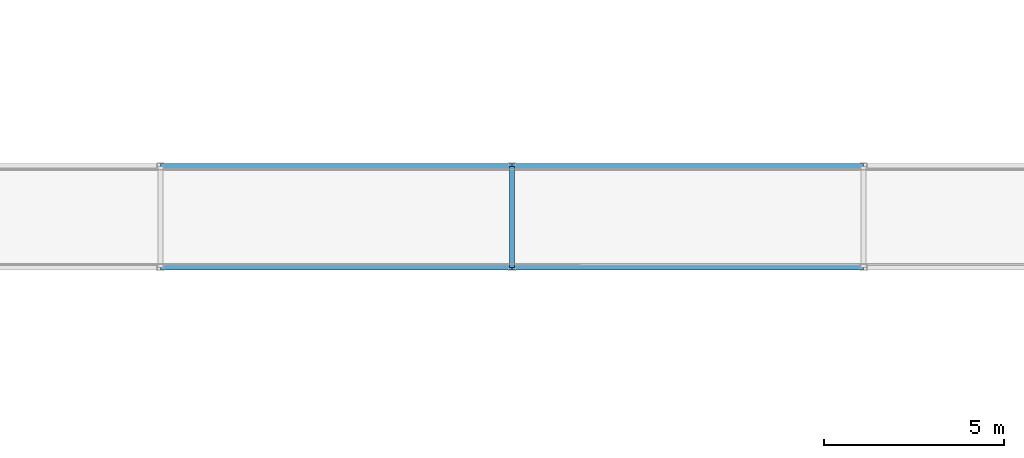
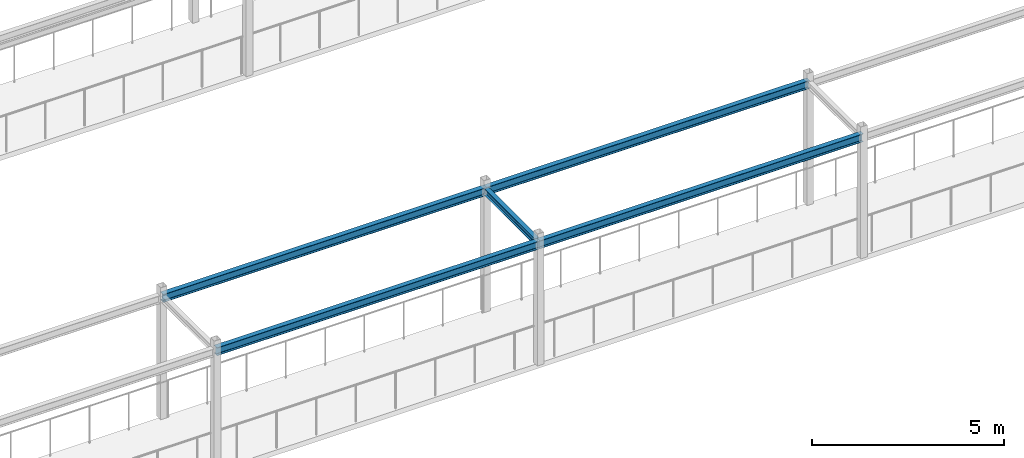
# One storey, part 60 of 148: 5 beams.
"""IFC4 building model written with IfcOpenShell, lengths in metres."""

from ifc_helpers import new_model, si_unit, direction, frame, origin, origin_2d, place, context, subcontext, project, spatial, i_section, extrude, material, material_profile, profile_set, type_object, element, save


model = new_model("IFC4")

# Units and contexts
model_context = context("Model", 3, precision=1e-05, world=origin(), true_north=direction((0.0, 1.0)))
body_context = subcontext(model_context, "Body", "Model", "MODEL_VIEW")
ifc_project = project(units=[si_unit("LENGTHUNIT", "METRE"), si_unit("AREAUNIT", "SQUARE_METRE"), si_unit("VOLUMEUNIT", "CUBIC_METRE"), si_unit("PLANEANGLEUNIT", "RADIAN"), si_unit("MASSUNIT", "GRAM", prefix="KILO")], contexts=[model_context])

# Site, building, storey
site_placement = place(None, origin())
site = spatial("IfcSite", under=ifc_project, at=site_placement, CompositionType="ELEMENT")
building_placement = place(site_placement, origin())
building = spatial("IfcBuilding", under=site, at=building_placement, Name="Karori Crest Natural Sciences Institute", CompositionType="ELEMENT")
storey_placement = place(building_placement, frame((0.0, 0.0, 4.89990234375)))
storey = spatial("IfcBuildingStorey", under=building, at=storey_placement, Name="L01", CompositionType="ELEMENT", Elevation=4.89990234375)

# Beams
ifc_material = material(Name="Structural steel AS/NZS 3679.1 Grade 350", Category="steel")
ifc_material_profile_1 = material_profile(ifc_material, i_section(OverallWidth=0.14599609375, OverallDepth=0.256103515625, WebThickness=0.00634765625, FlangeThickness=0.010986328125, FilletRadius=0.009033203125, at=origin_2d()), Name="250UB37.3")
ifc_profile_set_1 = profile_set([ifc_material_profile_1], Name="Structural steel AS/NZS 3679.1 Grade 350")
beam_type_1 = type_object("IfcBeamType", Name="BT-11", PredefinedType="BEAM", material=ifc_profile_set_1)
for number, where, z_axis, x_axis, name in (
    (1, (61.530029296875, 41.199951171875, 3.81201171875), (1.0, 0.0, 0.0), (0.0, 1.0, 0.0), "Beam B-0727"),
    (2, (71.27001953125, 41.199951171875, 3.81201171875), (1.0, 0.0, 0.0), (0.0, 1.0, 0.0), "Beam B-0728"),
    (3, (61.530029296875, 44.0, 3.81201171875), (1.0, 0.0, 0.0), (0.0, 1.0, 0.0), "Beam B-0730"),
    (4, (71.27001953125, 44.0, 3.81201171875), (1.0, 0.0, 0.0), (0.0, 1.0, 0.0), "Beam B-0731"),
):
    element("IfcBeam", number, at=place(storey_placement, frame(where, z_axis=z_axis, x_axis=x_axis)), inside=storey, type_object=beam_type_1, Name=name, PredefinedType="BEAM", context=body_context, shape_type="SweptSolid", body=[
        extrude(i_section(OverallWidth=0.14599609375, OverallDepth=0.256103515625, WebThickness=0.00634765625, FlangeThickness=0.010986328125, FilletRadius=0.009033203125, at=origin_2d()), origin(), (0.0, 0.0, 1.0), 9.739990234375),
    ])
ifc_material_profile_2 = material_profile(ifc_material, i_section(OverallWidth=0.134033203125, OverallDepth=0.20703125, WebThickness=0.00634765625, FlangeThickness=0.009521484375, FilletRadius=0.009033203125, at=origin_2d()), Name="200UB29.8")
ifc_profile_set_2 = profile_set([ifc_material_profile_2], Name="Structural steel AS/NZS 3679.1 Grade 350")
beam_type_2 = type_object("IfcBeamType", Name="BT-13", PredefinedType="BEAM", material=ifc_profile_set_2)
beam_placement = place(storey_placement, frame((71.27001953125, 41.199951171875, 3.820068359375), z_axis=(0.0, 1.0, 0.0), x_axis=(-1.0, 0.0, 0.0)))
element("IfcBeam", 5, at=beam_placement, inside=storey, type_object=beam_type_2, Name="Beam B-0734", PredefinedType="BEAM", context=body_context, shape_type="SweptSolid", body=[
    extrude(i_section(OverallWidth=0.134033203125, OverallDepth=0.20703125, WebThickness=0.00634765625, FlangeThickness=0.009521484375, FilletRadius=0.009033203125, at=origin_2d()), origin(), (0.0, 0.0, 1.0), 2.800048828125),
])

save(model, "model.ifc")
